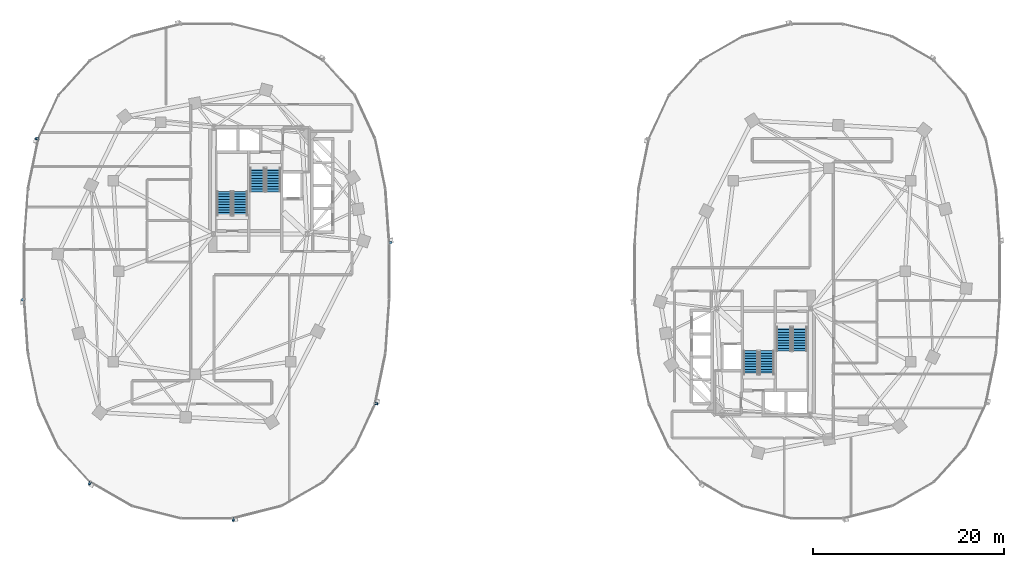
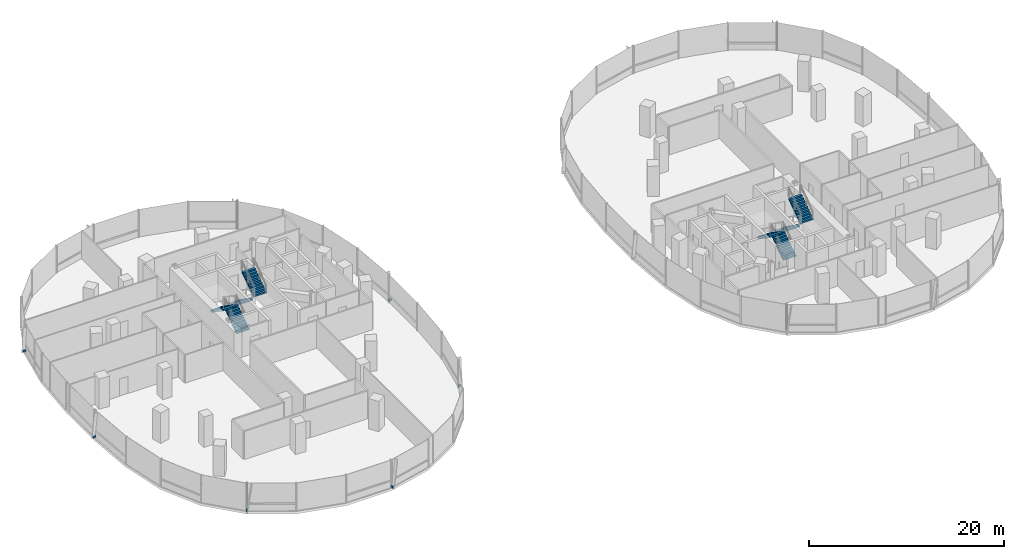
# One storey, part 14 of 21: 8 stair flights, 6 discrete accessories, 4 elements without a shape of their own.
"""IFC4 building model written with IfcOpenShell, lengths in metres."""

from ifc_helpers import new_model, si_unit, direction, frame, origin, origin_2d, place, context, subcontext, project, spatial, polyline, rectangle, outline, extrude, material, type_object, element, aggregate, save


model = new_model("IFC4")

# Units and contexts
model_context = context("Model", 3, precision=1e-05, world=origin(), true_north=direction((0.0, 1.0)))
body_context = subcontext(model_context, "Body", "Model", "MODEL_VIEW")
ifc_project = project(units=[si_unit("LENGTHUNIT", "METRE"), si_unit("AREAUNIT", "SQUARE_METRE"), si_unit("VOLUMEUNIT", "CUBIC_METRE"), si_unit("PLANEANGLEUNIT", "RADIAN"), si_unit("MASSUNIT", "GRAM", prefix="KILO"), si_unit("THERMODYNAMICTEMPERATUREUNIT", "KELVIN"), si_unit("POWERUNIT", "WATT")], contexts=[model_context])

# Site, building, storey
site_placement = place(None, origin())
site = spatial("IfcSite", under=ifc_project, at=site_placement, CompositionType="ELEMENT")
building_placement = place(site_placement, origin())
building = spatial("IfcBuilding", under=site, at=building_placement, Name="Cundina Bronze Exchange", CompositionType="ELEMENT")
storey_placement = place(building_placement, frame((0.0, 0.0, 27.800048828125)))
storey = spatial("IfcBuildingStorey", under=building, at=storey_placement, Name="L06", CompositionType="ELEMENT", Elevation=27.800048828125)

# Stair, stair flights
ifc_material_1 = material(Name="Concrete C40/50", Category="concrete")
stair_type = type_object("IfcStairType", Name="STR-TRD-380", PredefinedType="HALF_TURN_STAIR", material=ifc_material_1)
stair_1_placement = place(storey_placement, origin())
stair_1 = element("IfcStair", 1, at=stair_1_placement, inside=storey, type_object=stair_type, Name="L06 Smokeproof Exit Stair W1", PredefinedType="HALF_TURN_STAIR")
stair_flight_type = type_object("IfcStairFlightType", Name="FLG-TRD-190", PredefinedType="STRAIGHT", material=ifc_material_1)
stair_flight_1_placement = place(storey_placement, frame((-28.489990234375, 5.85009765625, 0.0), z_axis=(0.0, 0.0, 1.0), x_axis=(0.0, 1.0, 0.0)))
stair_flight_1 = element("IfcStairFlight", 2, at=stair_flight_1_placement, type_object=stair_flight_type, Name="ST-W1 flight 1", NumberOfRisers=10, NumberOfTreads=9, PredefinedType="STRAIGHT", RiserHeight=0.19, TreadLength=0.28, context=body_context, shape_type="SweptSolid", body=[
    extrude(outline(polyline([(0.0, 0.0), (0.0, 0.18994140625), (0.280029296875, 0.18994140625), (0.280029296875, 0.3798828125), (0.56005859375, 0.3798828125), (0.56005859375, 0.570068359375), (0.840087890625, 0.570068359375), (0.840087890625, 0.760009765625), (1.1201171875, 0.760009765625), (1.1201171875, 0.949951171875), (1.39990234375, 0.949951171875), (1.39990234375, 1.139892578125), (1.679931640625, 1.139892578125), (1.679931640625, 1.330078125), (1.9599609375, 1.330078125), (1.9599609375, 1.52001953125), (2.239990234375, 1.52001953125), (2.239990234375, 1.7099609375), (2.52001953125, 1.7099609375), (2.52001953125, 1.89990234375), (2.52001953125, 1.52880859375), (0.266845703125, 0.0), (0.0, 0.0)])), frame((0.0, 0.75, 0.0), z_axis=(0.0, -1.0, 0.0), x_axis=(1.0, 0.0, 0.0)), (0.0, 0.0, 1.0), 1.5),
])
stair_flight_2_placement = place(storey_placement, frame((-30.14990234375, 8.3701171875, 1.89990234375), z_axis=(0.0, 0.0, 1.0), x_axis=(0.0, -1.0, 0.0)))
stair_flight_2 = element("IfcStairFlight", 3, at=stair_flight_2_placement, type_object=stair_flight_type, Name="ST-W1 flight 2", NumberOfRisers=10, NumberOfTreads=9, PredefinedType="STRAIGHT", RiserHeight=0.19, TreadLength=0.28, context=body_context, shape_type="SweptSolid", body=[
    extrude(outline(polyline([(0.0, 0.0), (0.0, 0.18994140625), (0.280029296875, 0.18994140625), (0.280029296875, 0.3798828125), (0.56005859375, 0.3798828125), (0.56005859375, 0.570068359375), (0.840087890625, 0.570068359375), (0.840087890625, 0.760009765625), (1.1201171875, 0.760009765625), (1.1201171875, 0.949951171875), (1.39990234375, 0.949951171875), (1.39990234375, 1.139892578125), (1.679931640625, 1.139892578125), (1.679931640625, 1.330078125), (1.9599609375, 1.330078125), (1.9599609375, 1.52001953125), (2.239990234375, 1.52001953125), (2.239990234375, 1.7099609375), (2.52001953125, 1.7099609375), (2.52001953125, 1.89990234375), (2.52001953125, 1.52880859375), (0.266845703125, 0.0), (0.0, 0.0)])), frame((0.0, 0.75, 0.0), z_axis=(0.0, -1.0, 0.0), x_axis=(1.0, 0.0, 0.0)), (0.0, 0.0, 1.0), 1.5),
])
aggregate(stair_1, [stair_flight_1, stair_flight_2])

stair_2_placement = place(storey_placement, origin())
stair_2 = element("IfcStair", 4, at=stair_2_placement, inside=storey, type_object=stair_type, Name="L06 Smokeproof Exit Stair W2", PredefinedType="HALF_TURN_STAIR")
stair_flight_3_placement = place(storey_placement, frame((-26.68994140625, 10.85009765625, 0.0), z_axis=(0.0, 0.0, 1.0), x_axis=(0.0, -1.0, 0.0)))
stair_flight_3 = element("IfcStairFlight", 5, at=stair_flight_3_placement, type_object=stair_flight_type, Name="ST-W2 flight 1", NumberOfRisers=10, NumberOfTreads=9, PredefinedType="STRAIGHT", RiserHeight=0.19, TreadLength=0.28, context=body_context, shape_type="SweptSolid", body=[
    extrude(outline(polyline([(0.0, 0.0), (0.0, 0.18994140625), (0.280029296875, 0.18994140625), (0.280029296875, 0.3798828125), (0.56005859375, 0.3798828125), (0.56005859375, 0.570068359375), (0.840087890625, 0.570068359375), (0.840087890625, 0.760009765625), (1.1201171875, 0.760009765625), (1.1201171875, 0.949951171875), (1.39990234375, 0.949951171875), (1.39990234375, 1.139892578125), (1.679931640625, 1.139892578125), (1.679931640625, 1.330078125), (1.9599609375, 1.330078125), (1.9599609375, 1.52001953125), (2.239990234375, 1.52001953125), (2.239990234375, 1.7099609375), (2.52001953125, 1.7099609375), (2.52001953125, 1.89990234375), (2.52001953125, 1.52880859375), (0.266845703125, 0.0), (0.0, 0.0)])), frame((0.0, 0.75, 0.0), z_axis=(0.0, -1.0, 0.0), x_axis=(1.0, 0.0, 0.0)), (0.0, 0.0, 1.0), 1.5),
])
stair_flight_4_placement = place(storey_placement, frame((-25.030029296875, 8.330078125, 1.89990234375), z_axis=(0.0, 0.0, 1.0), x_axis=(0.0, 1.0, 0.0)))
stair_flight_4 = element("IfcStairFlight", 6, at=stair_flight_4_placement, type_object=stair_flight_type, Name="ST-W2 flight 2", NumberOfRisers=10, NumberOfTreads=9, PredefinedType="STRAIGHT", RiserHeight=0.19, TreadLength=0.28, context=body_context, shape_type="SweptSolid", body=[
    extrude(outline(polyline([(0.0, 0.0), (0.0, 0.18994140625), (0.280029296875, 0.18994140625), (0.280029296875, 0.3798828125), (0.56005859375, 0.3798828125), (0.56005859375, 0.570068359375), (0.840087890625, 0.570068359375), (0.840087890625, 0.760009765625), (1.1201171875, 0.760009765625), (1.1201171875, 0.949951171875), (1.39990234375, 0.949951171875), (1.39990234375, 1.139892578125), (1.679931640625, 1.139892578125), (1.679931640625, 1.330078125), (1.9599609375, 1.330078125), (1.9599609375, 1.52001953125), (2.239990234375, 1.52001953125), (2.239990234375, 1.7099609375), (2.52001953125, 1.7099609375), (2.52001953125, 1.89990234375), (2.52001953125, 1.52880859375), (0.266845703125, 0.0), (0.0, 0.0)])), frame((0.0, 0.75, 0.0), z_axis=(0.0, -1.0, 0.0), x_axis=(1.0, 0.0, 0.0)), (0.0, 0.0, 1.0), 1.5),
])
aggregate(stair_2, [stair_flight_3, stair_flight_4])

stair_3_placement = place(storey_placement, origin())
stair_3 = element("IfcStair", 7, at=stair_3_placement, inside=storey, type_object=stair_type, Name="L06 Smokeproof Exit Stair E1", PredefinedType="HALF_TURN_STAIR")
stair_flight_5_placement = place(storey_placement, frame((28.489990234375, -5.85009765625, 0.0), z_axis=(0.0, 0.0, 1.0), x_axis=(0.0, -1.0, 0.0)))
stair_flight_5 = element("IfcStairFlight", 8, at=stair_flight_5_placement, type_object=stair_flight_type, Name="ST-E1 flight 1", NumberOfRisers=10, NumberOfTreads=9, PredefinedType="STRAIGHT", RiserHeight=0.19, TreadLength=0.28, context=body_context, shape_type="SweptSolid", body=[
    extrude(outline(polyline([(0.0, 0.0), (0.0, 0.18994140625), (0.280029296875, 0.18994140625), (0.280029296875, 0.3798828125), (0.56005859375, 0.3798828125), (0.56005859375, 0.570068359375), (0.840087890625, 0.570068359375), (0.840087890625, 0.760009765625), (1.1201171875, 0.760009765625), (1.1201171875, 0.949951171875), (1.39990234375, 0.949951171875), (1.39990234375, 1.139892578125), (1.679931640625, 1.139892578125), (1.679931640625, 1.330078125), (1.9599609375, 1.330078125), (1.9599609375, 1.52001953125), (2.239990234375, 1.52001953125), (2.239990234375, 1.7099609375), (2.52001953125, 1.7099609375), (2.52001953125, 1.89990234375), (2.52001953125, 1.52880859375), (0.266845703125, 0.0), (0.0, 0.0)])), frame((0.0, 0.75, 0.0), z_axis=(0.0, -1.0, 0.0), x_axis=(1.0, 0.0, 0.0)), (0.0, 0.0, 1.0), 1.5),
])
stair_flight_6_placement = place(storey_placement, frame((30.14990234375, -8.3701171875, 1.89990234375), z_axis=(0.0, 0.0, 1.0), x_axis=(0.0, 1.0, 0.0)))
stair_flight_6 = element("IfcStairFlight", 9, at=stair_flight_6_placement, type_object=stair_flight_type, Name="ST-E1 flight 2", NumberOfRisers=10, NumberOfTreads=9, PredefinedType="STRAIGHT", RiserHeight=0.19, TreadLength=0.28, context=body_context, shape_type="SweptSolid", body=[
    extrude(outline(polyline([(0.0, 0.0), (0.0, 0.18994140625), (0.280029296875, 0.18994140625), (0.280029296875, 0.3798828125), (0.56005859375, 0.3798828125), (0.56005859375, 0.570068359375), (0.840087890625, 0.570068359375), (0.840087890625, 0.760009765625), (1.1201171875, 0.760009765625), (1.1201171875, 0.949951171875), (1.39990234375, 0.949951171875), (1.39990234375, 1.139892578125), (1.679931640625, 1.139892578125), (1.679931640625, 1.330078125), (1.9599609375, 1.330078125), (1.9599609375, 1.52001953125), (2.239990234375, 1.52001953125), (2.239990234375, 1.7099609375), (2.52001953125, 1.7099609375), (2.52001953125, 1.89990234375), (2.52001953125, 1.52880859375), (0.266845703125, 0.0), (0.0, 0.0)])), frame((0.0, 0.75, 0.0), z_axis=(0.0, -1.0, 0.0), x_axis=(1.0, 0.0, 0.0)), (0.0, 0.0, 1.0), 1.5),
])
aggregate(stair_3, [stair_flight_5, stair_flight_6])

stair_4_placement = place(storey_placement, origin())
stair_4 = element("IfcStair", 10, at=stair_4_placement, inside=storey, type_object=stair_type, Name="L06 Smokeproof Exit Stair E2", PredefinedType="HALF_TURN_STAIR")
stair_flight_7_placement = place(storey_placement, frame((26.68994140625, -10.85009765625, 0.0), z_axis=(0.0, 0.0, 1.0), x_axis=(0.0, 1.0, 0.0)))
stair_flight_7 = element("IfcStairFlight", 11, at=stair_flight_7_placement, type_object=stair_flight_type, Name="ST-E2 flight 1", NumberOfRisers=10, NumberOfTreads=9, PredefinedType="STRAIGHT", RiserHeight=0.19, TreadLength=0.28, context=body_context, shape_type="SweptSolid", body=[
    extrude(outline(polyline([(0.0, 0.0), (0.0, 0.18994140625), (0.280029296875, 0.18994140625), (0.280029296875, 0.3798828125), (0.56005859375, 0.3798828125), (0.56005859375, 0.570068359375), (0.840087890625, 0.570068359375), (0.840087890625, 0.760009765625), (1.1201171875, 0.760009765625), (1.1201171875, 0.949951171875), (1.39990234375, 0.949951171875), (1.39990234375, 1.139892578125), (1.679931640625, 1.139892578125), (1.679931640625, 1.330078125), (1.9599609375, 1.330078125), (1.9599609375, 1.52001953125), (2.239990234375, 1.52001953125), (2.239990234375, 1.7099609375), (2.52001953125, 1.7099609375), (2.52001953125, 1.89990234375), (2.52001953125, 1.52880859375), (0.266845703125, 0.0), (0.0, 0.0)])), frame((0.0, 0.75, 0.0), z_axis=(0.0, -1.0, 0.0), x_axis=(1.0, 0.0, 0.0)), (0.0, 0.0, 1.0), 1.5),
])
stair_flight_8_placement = place(storey_placement, frame((25.030029296875, -8.330078125, 1.89990234375), z_axis=(0.0, 0.0, 1.0), x_axis=(0.0, -1.0, 0.0)))
stair_flight_8 = element("IfcStairFlight", 12, at=stair_flight_8_placement, type_object=stair_flight_type, Name="ST-E2 flight 2", NumberOfRisers=10, NumberOfTreads=9, PredefinedType="STRAIGHT", RiserHeight=0.19, TreadLength=0.28, context=body_context, shape_type="SweptSolid", body=[
    extrude(outline(polyline([(0.0, 0.0), (0.0, 0.18994140625), (0.280029296875, 0.18994140625), (0.280029296875, 0.3798828125), (0.56005859375, 0.3798828125), (0.56005859375, 0.570068359375), (0.840087890625, 0.570068359375), (0.840087890625, 0.760009765625), (1.1201171875, 0.760009765625), (1.1201171875, 0.949951171875), (1.39990234375, 0.949951171875), (1.39990234375, 1.139892578125), (1.679931640625, 1.139892578125), (1.679931640625, 1.330078125), (1.9599609375, 1.330078125), (1.9599609375, 1.52001953125), (2.239990234375, 1.52001953125), (2.239990234375, 1.7099609375), (2.52001953125, 1.7099609375), (2.52001953125, 1.89990234375), (2.52001953125, 1.52880859375), (0.266845703125, 0.0), (0.0, 0.0)])), frame((0.0, 0.75, 0.0), z_axis=(0.0, -1.0, 0.0), x_axis=(1.0, 0.0, 0.0)), (0.0, 0.0, 1.0), 1.5),
])
aggregate(stair_4, [stair_flight_7, stair_flight_8])

# Discrete accessories
ifc_material_2 = material(Name="Anodised Bronze Aluminium 6063-T6", Category="aluminium")
discrete_accessory_type = type_object("IfcDiscreteAccessoryType", Name="ACC-BRK-FIN", PredefinedType="BRACKET", material=ifc_material_2)
for number, where, z_axis, x_axis, name in (
    (13, (-12.735595703125, 2.986083984375, 0.10009765625), (0.0, 0.0, 1.0), (-0.070278787473, 0.997527389113, 0.0), "L06 Fin Support Bracket 1"),
    (14, (-49.788330078125, 13.8896484375, 0.10009765625), (0.0, 0.0, 1.0), (-0.201419845156, -0.979505000486, 0.0), "L06 Fin Support Bracket 5"),
    (15, (-51.264404296875, -2.986083984375, 0.10009765625), (0.0, 0.0, 1.0), (0.070278787473, -0.997527389113, 0.0), "L06 Fin Support Bracket 1"),
    (16, (-44.259521484375, -22.21875, 0.10009765625), (0.0, 0.0, 1.0), (0.867105478933, -0.498124571171, 0.0), "L06 Fin Support Bracket 5"),
    (17, (-29.23974609375, -26.03173828125, 0.10009765625), (0.0, 0.0, 1.0), (0.969488149345, 0.245138182011, 0.0), "L06 Fin Support Bracket 1"),
    (18, (-14.211669921875, -13.8896484375, 0.10009765625), (0.0, 0.0, 1.0), (0.201419845156, 0.979505000486, 0.0), "L06 Fin Support Bracket 5"),
):
    element("IfcDiscreteAccessory", number, at=place(storey_placement, frame(where, z_axis=z_axis, x_axis=x_axis)), inside=storey, type_object=discrete_accessory_type, Name=name, PredefinedType="BRACKET", context=body_context, shape_type="SweptSolid", body=[
        extrude(rectangle(XDim=0.219970703125, YDim=0.320068359375, at=origin_2d()), origin(), (0.0, 0.0, 1.0), 0.239990234375),
    ])

save(model, "model.ifc")
